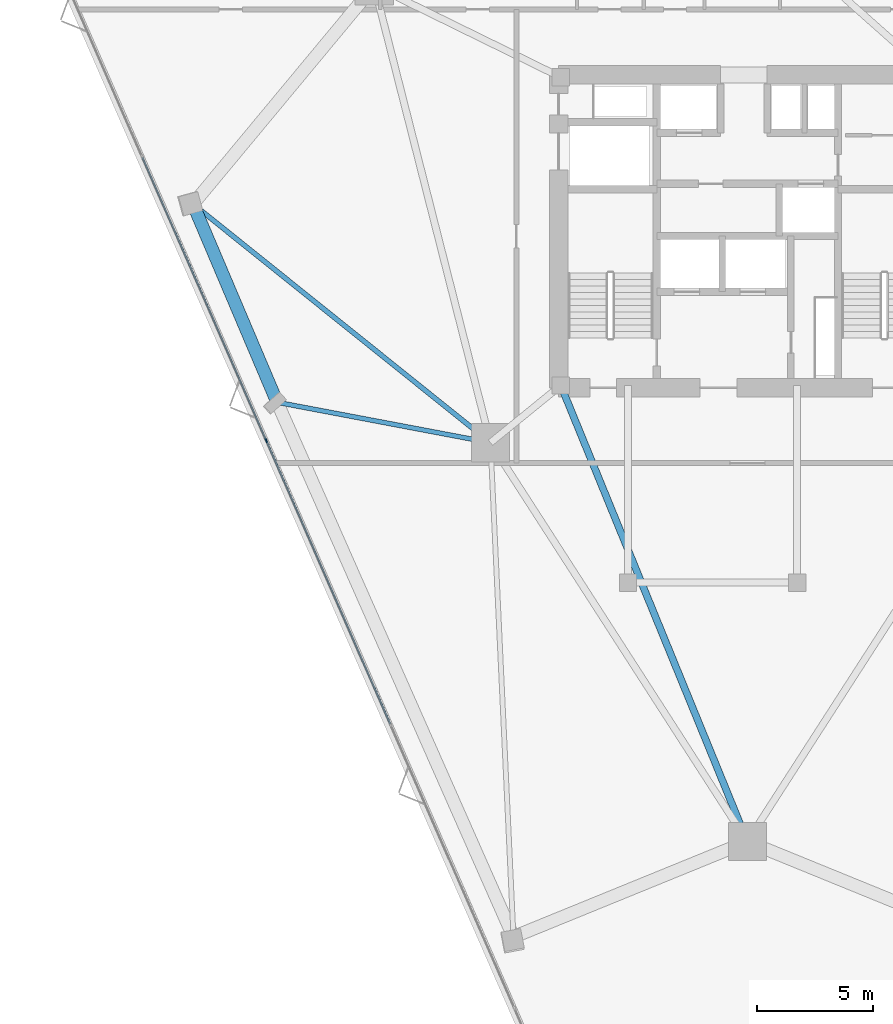
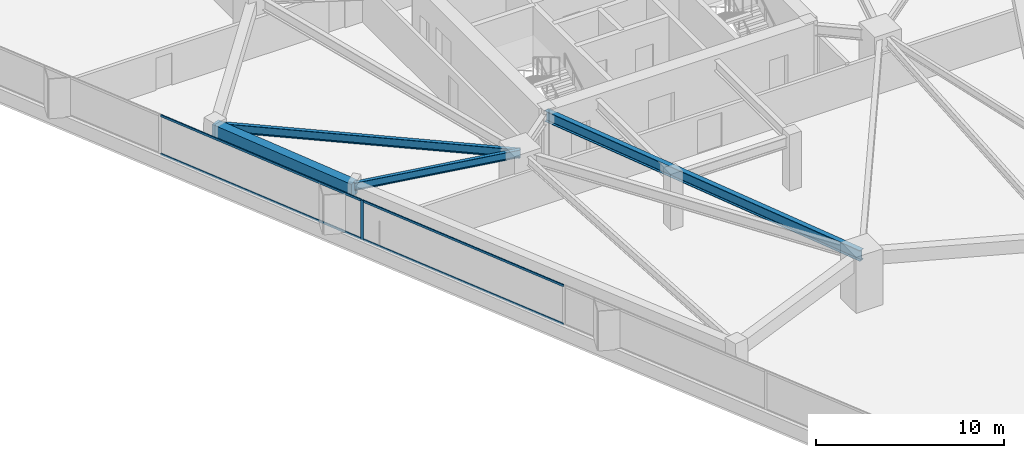
# One storey, part 5 of 19: 5 members, 4 beams, 1 element without a shape of its own.
"""IFC4 building model written with IfcOpenShell, lengths in metres."""

from ifc_helpers import new_model, si_unit, direction, frame, origin, origin_2d, place, context, subcontext, project, spatial, rectangle, i_section, extrude, material, layer, layer_set, material_profile, profile_set, type_object, element, aggregate, save


model = new_model("IFC4")

# Units and contexts
model_context = context("Model", 3, precision=1e-05, world=origin(), true_north=direction((0.0, 1.0)))
body_context = subcontext(model_context, "Body", "Model", "MODEL_VIEW")
ifc_project = project(units=[si_unit("LENGTHUNIT", "METRE"), si_unit("AREAUNIT", "SQUARE_METRE"), si_unit("VOLUMEUNIT", "CUBIC_METRE"), si_unit("PLANEANGLEUNIT", "RADIAN"), si_unit("MASSUNIT", "GRAM", prefix="KILO")], contexts=[model_context])

# Site, building, storey
site_placement = place(None, origin())
site = spatial("IfcSite", under=ifc_project, at=site_placement, CompositionType="ELEMENT")
building_placement = place(site_placement, origin())
building = spatial("IfcBuilding", under=site, at=building_placement, Name="Talyreon Biosciences Tower", CompositionType="ELEMENT")
storey_placement = place(building_placement, frame((0.0, 0.0, 82.300048828125)))
storey = spatial("IfcBuildingStorey", under=building, at=storey_placement, Name="L21", CompositionType="ELEMENT", Elevation=82.300048828125)

# Curtain wall, members
ifc_material_1 = material(Name="Thermally broken aluminium and low-E glazing", Category="aluminium")
ifc_layer = layer(ifc_material_1, 0.18994140625)
ifc_layer_set = layer_set([ifc_layer], Name="Thermally broken aluminium and low-E glazing")
curtain_wall_type = type_object("IfcCurtainWallType", Name="CurtainWall_Zone2Genomics", PredefinedType="NOTDEFINED", material=ifc_layer_set)
curtain_wall_placement = place(storey_placement, origin())
curtain_wall = element("IfcCurtainWall", 1, at=curtain_wall_placement, inside=storey, type_object=curtain_wall_type, Name="L21 Unitised Curtain Wall FCW-L21-00", PredefinedType="NOTDEFINED")
ifc_material_2 = material(Name="Anodised thermally broken aluminium", Category="aluminium")
ifc_material_profile_1 = material_profile(ifc_material_2, rectangle(XDim=0.06494140625, YDim=0.179931640625, at=origin_2d()), Name="ALUM MULLION 65x180")
ifc_profile_set_1 = profile_set([ifc_material_profile_1], Name="Anodised thermally broken aluminium")
member_type_1 = type_object("IfcMemberType", Name="CWMullion_65x180", PredefinedType="MULLION", material=ifc_profile_set_1)
member_1_placement = place(storey_placement, frame((45.23828125, 58.970703125, 0.81005859375), z_axis=(0.0, 0.0, 1.0), x_axis=(-0.916213942072, -0.400689421314, 0.0)))
member_1 = element("IfcMember", 2, at=member_1_placement, type_object=member_type_1, Name="CW3 mullion 4", PredefinedType="MULLION", context=body_context, shape_type="SweptSolid", body=[
    extrude(rectangle(XDim=0.06494140625, YDim=0.179931640625, at=origin_2d()), origin(), (0.0, 0.0, 1.0), 2.56494140625),
])
ifc_material_profile_2 = material_profile(ifc_material_2, rectangle(XDim=0.06494140625, YDim=0.139892578125, at=origin_2d()), Name="ALUM TRANSOM 65x140")
ifc_profile_set_2 = profile_set([ifc_material_profile_2], Name="Anodised thermally broken aluminium")
member_type_2 = type_object("IfcMemberType", Name="CWTransom_65x140", PredefinedType="USERDEFINED", material=ifc_profile_set_2)
member_2_placement = place(storey_placement, frame((50.58203125, 46.751220703125, 0.842529296875), z_axis=(-0.400681171348, 0.91621755, 0.0), x_axis=(-0.91621755, -0.400681171348, 0.0)))
member_2 = element("IfcMember", 3, at=member_2_placement, type_object=member_type_2, Name="CW3 transom 3.1", ObjectType="TRANSOM", PredefinedType="USERDEFINED", context=body_context, shape_type="SweptSolid", body=[
    extrude(rectangle(XDim=0.06494140625, YDim=0.139892578125, at=origin_2d()), origin(), (0.0, 0.0, 1.0), 13.304443359375),
])
member_3_placement = place(storey_placement, frame((50.58203125, 46.751220703125, 3.342529296875), z_axis=(-0.400681171348, 0.91621755, 0.0), x_axis=(-0.91621755, -0.400681171348, 0.0)))
member_3 = element("IfcMember", 4, at=member_3_placement, type_object=member_type_2, Name="CW3 transom 3.2", ObjectType="TRANSOM", PredefinedType="USERDEFINED", context=body_context, shape_type="SweptSolid", body=[
    extrude(rectangle(XDim=0.06494140625, YDim=0.139892578125, at=origin_2d()), origin(), (0.0, 0.0, 1.0), 13.304443359375),
])
member_4_placement = place(storey_placement, frame((45.22509765625, 59.00048828125, 0.842529296875), z_axis=(-0.40068790809, 0.916214603852, 0.0), x_axis=(-0.916214603852, -0.40068790809, 0.0)))
member_4 = element("IfcMember", 5, at=member_4_placement, type_object=member_type_2, Name="CW3 transom 4.1", ObjectType="TRANSOM", PredefinedType="USERDEFINED", context=body_context, shape_type="SweptSolid", body=[
    extrude(rectangle(XDim=0.06494140625, YDim=0.139892578125, at=origin_2d()), origin(), (0.0, 0.0, 1.0), 13.30419921875),
])
member_5_placement = place(storey_placement, frame((45.22509765625, 59.00048828125, 3.342529296875), z_axis=(-0.40068790809, 0.916214603852, 0.0), x_axis=(-0.916214603852, -0.40068790809, 0.0)))
member_5 = element("IfcMember", 6, at=member_5_placement, type_object=member_type_2, Name="CW3 transom 4.2", ObjectType="TRANSOM", PredefinedType="USERDEFINED", context=body_context, shape_type="SweptSolid", body=[
    extrude(rectangle(XDim=0.06494140625, YDim=0.139892578125, at=origin_2d()), origin(), (0.0, 0.0, 1.0), 13.30419921875),
])
aggregate(curtain_wall, [member_1, member_2, member_3, member_4, member_5])

# Beams
ifc_material_3 = material(Name="Precast concrete C45/55", Category="concrete")
ifc_material_profile_3 = material_profile(ifc_material_3, rectangle(XDim=0.550048828125, YDim=0.85009765625, at=origin_2d()), Name="RCB 550x850")
ifc_profile_set_3 = profile_set([ifc_material_profile_3], Name="Precast concrete C45/55")
beam_type_1 = type_object("IfcBeamType", Name="ExpressedSpandrel_550x850", PredefinedType="SPANDREL", material=ifc_profile_set_3)
beam_1_placement = place(storey_placement, frame((42.076171875, 69.177734375, 2.949951171875), z_axis=(0.390765705508, -0.920490175612, 0.0), x_axis=(0.920490175612, 0.390765705508, 0.0)))
element("IfcBeam", 7, at=beam_1_placement, inside=storey, type_object=beam_type_1, Name="L21 Expressed Horizontal Concrete Spandrel 10", PredefinedType="SPANDREL", context=body_context, shape_type="SweptSolid", body=[
    extrude(rectangle(XDim=0.550048828125, YDim=0.85009765625, at=origin_2d()), origin(), (0.0, 0.0, 1.0), 9.294189453125),
])
ifc_material_4 = material(Name="Steel SM355", Category="steel")
ifc_material_profile_4 = material_profile(ifc_material_4, i_section(OverallWidth=0.300048828125, OverallDepth=0.699951171875, WebThickness=0.01708984375, FlangeThickness=0.031982421875, FilletRadius=0.027099609375, at=origin_2d()), Name="HE700B")
ifc_profile_set_4 = profile_set([ifc_material_profile_4], Name="Steel SM355")
beam_type_2 = type_object("IfcBeamType", Name="SteelGirder_HE700B", PredefinedType="BEAM", material=ifc_profile_set_4)
beam_2_placement = place(storey_placement, frame((57.949951171875, 61.35009765625, 3.02490234375), z_axis=(0.378547014545, -0.925582064314, 0.0), x_axis=(0.925582064314, 0.378547014545, 0.0)))
element("IfcBeam", 8, at=beam_2_placement, inside=storey, type_object=beam_type_2, Name="L21 Radial Primary Girder 1", PredefinedType="BEAM", context=body_context, shape_type="SweptSolid", body=[
    extrude(i_section(OverallWidth=0.300048828125, OverallDepth=0.699951171875, WebThickness=0.01708984375, FlangeThickness=0.031982421875, FilletRadius=0.027099609375, at=origin_2d()), origin(), (0.0, 0.0, 1.0), 21.265625),
])
ifc_material_profile_5 = material_profile(ifc_material_4, i_section(OverallWidth=0.199951171875, OverallDepth=0.5, WebThickness=0.01025390625, FlangeThickness=0.01611328125, FilletRadius=0.02099609375, at=origin_2d()), Name="IPE500")
ifc_profile_set_5 = profile_set([ifc_material_profile_5], Name="Steel SM355")
beam_type_3 = type_object("IfcBeamType", Name="SteelJoist_IPE500", PredefinedType="JOIST", material=ifc_profile_set_5)
beam_3_placement = place(storey_placement, frame((54.913818359375, 58.88037109375, 3.125), z_axis=(-0.982559567382, 0.185948101754, 0.0), x_axis=(-0.185948101754, -0.982559567382, 0.0)))
element("IfcBeam", 9, at=beam_3_placement, inside=storey, type_object=beam_type_3, Name="L21 Radial Composite Floor Joist PL-SW", PredefinedType="JOIST", context=body_context, shape_type="SweptSolid", body=[
    extrude(i_section(OverallWidth=0.199951171875, OverallDepth=0.5, WebThickness=0.01025390625, FlangeThickness=0.01611328125, FilletRadius=0.02099609375, at=origin_2d()), origin(), (0.0, 0.0, 1.0), 9.369140625),
])
ifc_material_profile_6 = material_profile(ifc_material_4, i_section(OverallWidth=0.2099609375, OverallDepth=0.550048828125, WebThickness=0.010986328125, FlangeThickness=0.01708984375, FilletRadius=0.02392578125, at=origin_2d()), Name="IPE550")
ifc_profile_set_6 = profile_set([ifc_material_profile_6], Name="Steel SM355")
beam_type_4 = type_object("IfcBeamType", Name="SteelJoist_IPE550", PredefinedType="JOIST", material=ifc_profile_set_6)
beam_4_placement = place(storey_placement, frame((54.913818359375, 58.88037109375, 3.099853515625), z_axis=(-0.780060562522, 0.625704018524, 0.0), x_axis=(-0.625704018524, -0.780060562522, 0.0)))
element("IfcBeam", 10, at=beam_4_placement, inside=storey, type_object=beam_type_4, Name="L21 Radial Composite Floor Joist PC-SW1", PredefinedType="JOIST", context=body_context, shape_type="SweptSolid", body=[
    extrude(i_section(OverallWidth=0.2099609375, OverallDepth=0.550048828125, WebThickness=0.010986328125, FlangeThickness=0.01708984375, FilletRadius=0.02392578125, at=origin_2d()), origin(), (0.0, 0.0, 1.0), 16.457275390625),
])

save(model, "model.ifc")
